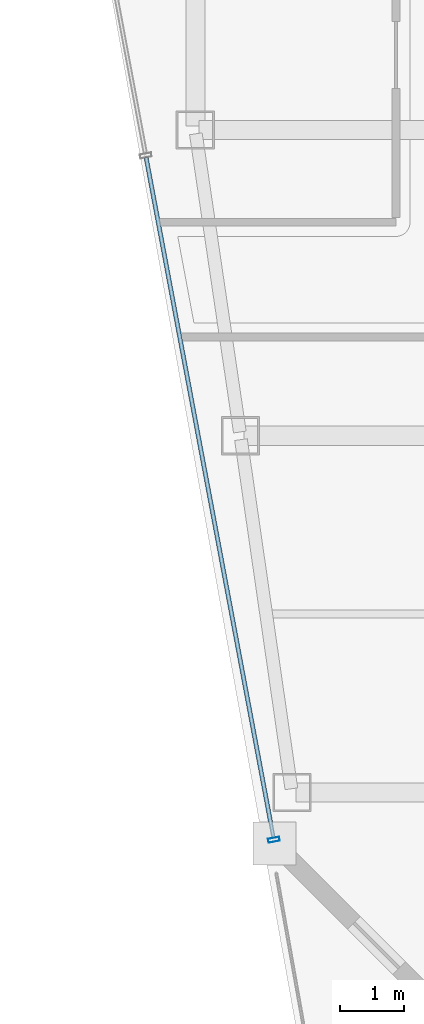
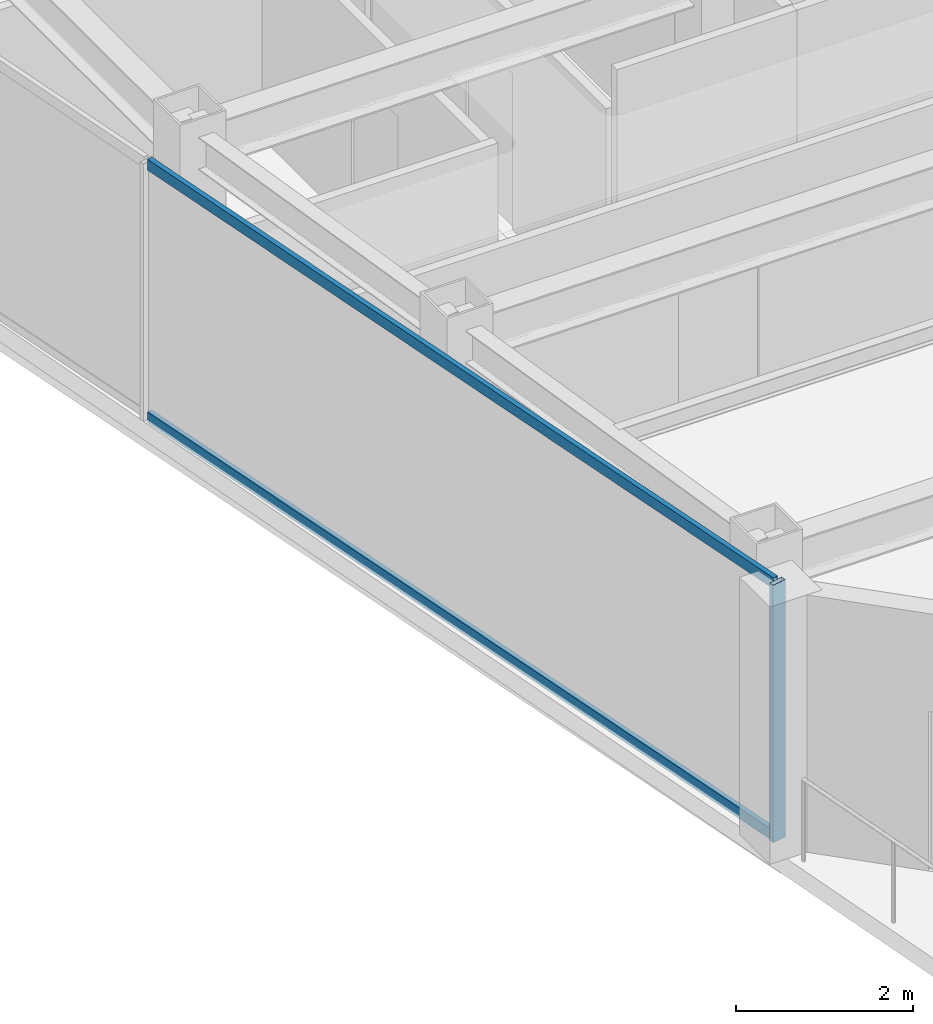
# One storey, part 3 of 25: 3 members, 1 element without a shape of its own.
"""IFC4 building model written with IfcOpenShell, lengths in metres."""

from ifc_helpers import new_model, si_unit, direction, frame, origin, origin_2d, place, context, subcontext, project, spatial, hollow_rectangle, extrude, material, material_profile, profile_set, type_object, element, aggregate, save


model = new_model("IFC4")

# Units and contexts
model_context = context("Model", 3, precision=1e-05, world=origin(), true_north=direction((0.0, 1.0)))
body_context = subcontext(model_context, "Body", "Model", "MODEL_VIEW")
ifc_project = project(units=[si_unit("LENGTHUNIT", "METRE"), si_unit("AREAUNIT", "SQUARE_METRE"), si_unit("VOLUMEUNIT", "CUBIC_METRE"), si_unit("PLANEANGLEUNIT", "RADIAN"), si_unit("MASSUNIT", "GRAM", prefix="KILO")], contexts=[model_context])

# Site, building, storey
site_placement = place(None, origin())
site = spatial("IfcSite", under=ifc_project, at=site_placement, CompositionType="ELEMENT")
building_placement = place(site_placement, origin())
building = spatial("IfcBuilding", under=site, at=building_placement, Name="Saevonmaru Cultural Tower", CompositionType="ELEMENT")
storey_placement = place(building_placement, frame((0.0, 0.0, 276.199951171875)))
storey = spatial("IfcBuildingStorey", under=building, at=storey_placement, Name="L65", CompositionType="ELEMENT", Elevation=276.199951171875)

# Curtain wall, members
ifc_material = material(Name="Satin Bronze Anodised Aluminium", Category="aluminium")
curtain_wall_type = type_object("IfcCurtainWallType", Name="CW-TYP-B", PredefinedType="NOTDEFINED", material=ifc_material)
curtain_wall_placement = place(storey_placement, origin())
curtain_wall = element("IfcCurtainWall", 1, at=curtain_wall_placement, inside=storey, type_object=curtain_wall_type, Name="L65 Unitised Curtain Wall E12", PredefinedType="NOTDEFINED")
ifc_material_profile_1 = material_profile(ifc_material, hollow_rectangle(XDim=0.06494140625, YDim=0.179931640625, WallThickness=0.00390625, at=origin_2d()), Name="ALU-MULL-180x65x4")
ifc_profile_set_1 = profile_set([ifc_material_profile_1], Name="Satin Bronze Anodised Aluminium")
member_type_1 = type_object("IfcMemberType", Name="ML-CW-180x65", PredefinedType="MULLION", material=ifc_profile_set_1)
member_1_placement = place(storey_placement, frame((8.033447265625, 31.259033203125, 0.0), z_axis=(0.0, 0.0, 1.0), x_axis=(0.184046528232, -0.982917532373, 0.0)))
member_1 = element("IfcMember", 2, at=member_1_placement, type_object=member_type_1, Name="CW-TW-L65-E12 mullion 3", PredefinedType="MULLION", context=body_context, shape_type="SweptSolid", body=[
    extrude(hollow_rectangle(XDim=0.06494140625, YDim=0.179931640625, WallThickness=0.00390625, at=origin_2d()), origin(), (0.0, 0.0, 1.0), 3.550048828125),
])
ifc_material_profile_2 = material_profile(ifc_material, hollow_rectangle(XDim=0.06494140625, YDim=0.14990234375, WallThickness=0.00390625, at=origin_2d()), Name="ALU-TRAN-150x65x4")
ifc_profile_set_2 = profile_set([ifc_material_profile_2], Name="Satin Bronze Anodised Aluminium")
member_type_2 = type_object("IfcMemberType", Name="TR-CW-150x65", PredefinedType="USERDEFINED", material=ifc_profile_set_2)
member_2_placement = place(storey_placement, frame((6.028076171875, 41.968017578125, 0.032470703125), z_axis=(0.184051053742, -0.982916684982, 0.0), x_axis=(0.982916684982, 0.184051053742, 0.0)))
member_2 = element("IfcMember", 3, at=member_2_placement, type_object=member_type_2, Name="CW-TW-L65-E12 transom 2.1", ObjectType="TRANSOM", PredefinedType="USERDEFINED", context=body_context, shape_type="SweptSolid", body=[
    extrude(hollow_rectangle(XDim=0.06494140625, YDim=0.14990234375, WallThickness=0.00390625, at=origin_2d()), origin(), (0.0, 0.0, 1.0), 10.862548828125),
])
member_3_placement = place(storey_placement, frame((6.028076171875, 41.968017578125, 3.517578125), z_axis=(0.184051053742, -0.982916684982, 0.0), x_axis=(0.982916684982, 0.184051053742, 0.0)))
member_3 = element("IfcMember", 4, at=member_3_placement, type_object=member_type_2, Name="CW-TW-L65-E12 transom 2.2", ObjectType="TRANSOM", PredefinedType="USERDEFINED", context=body_context, shape_type="SweptSolid", body=[
    extrude(hollow_rectangle(XDim=0.06494140625, YDim=0.14990234375, WallThickness=0.00390625, at=origin_2d()), origin(), (0.0, 0.0, 1.0), 10.862548828125),
])
aggregate(curtain_wall, [member_1, member_2, member_3])

save(model, "model.ifc")
